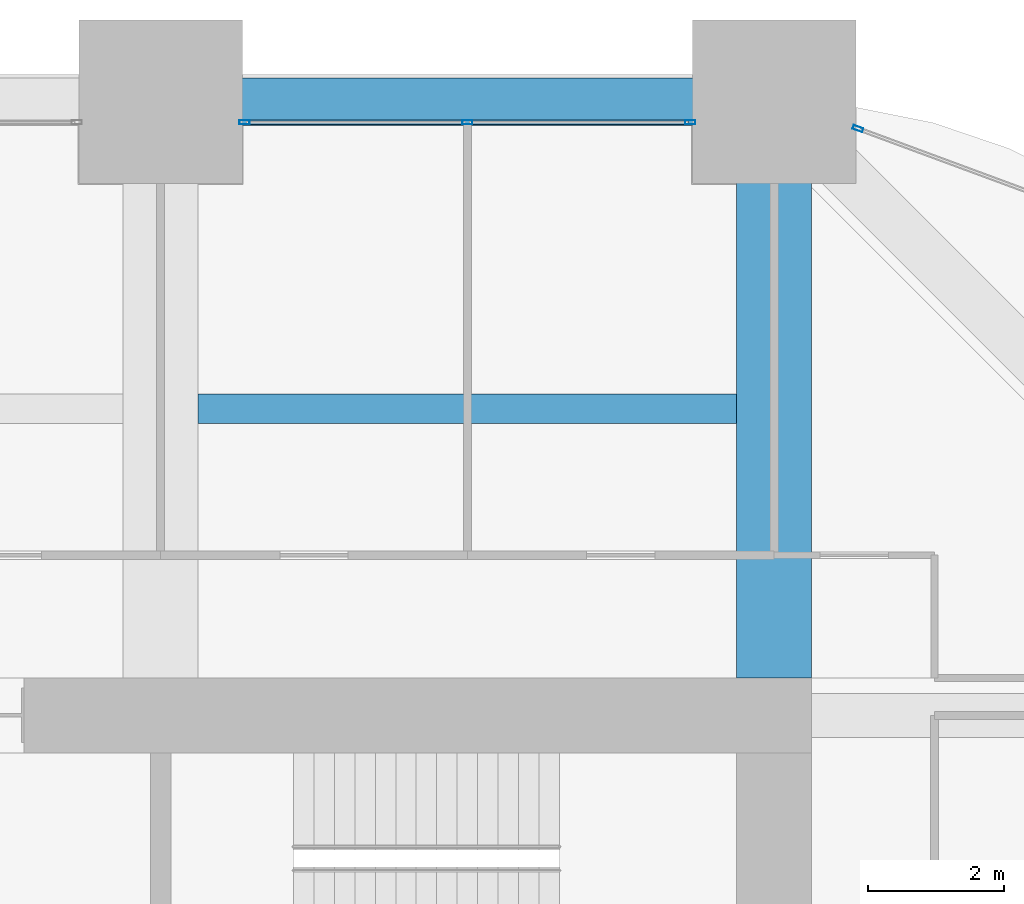
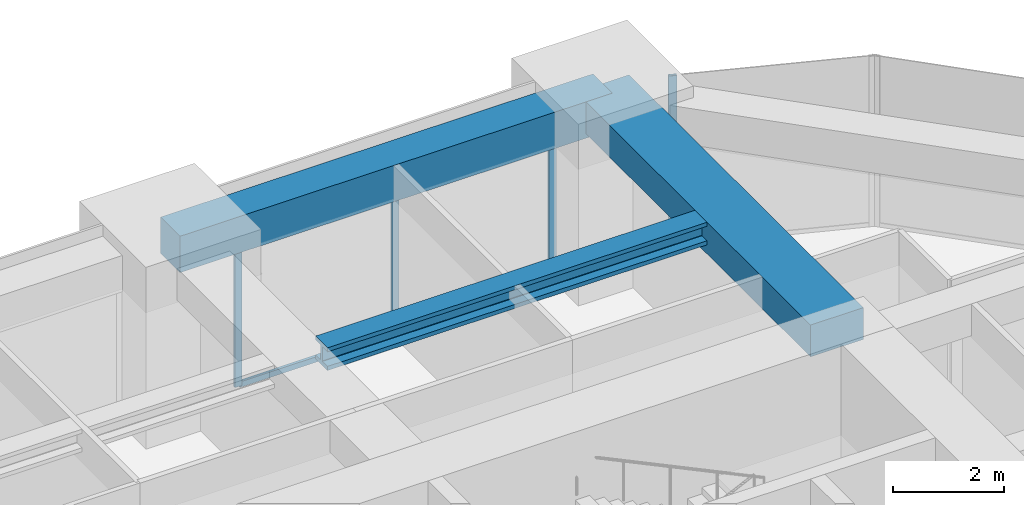
# One storey, part 26 of 32: 5 members, 3 beams, 2 elements without a shape of their own.
"""IFC4 building model written with IfcOpenShell, lengths in metres."""

from ifc_helpers import new_model, si_unit, direction, frame, origin, origin_2d, place, context, subcontext, project, spatial, rectangle, hollow_rectangle, i_section, extrude, material, material_profile, profile_set, type_object, element, aggregate, save


model = new_model("IFC4")

# Units and contexts
model_context = context("Model", 3, precision=1e-05, world=origin(), true_north=direction((0.0, 1.0)))
body_context = subcontext(model_context, "Body", "Model", "MODEL_VIEW")
ifc_project = project(units=[si_unit("LENGTHUNIT", "METRE"), si_unit("AREAUNIT", "SQUARE_METRE"), si_unit("VOLUMEUNIT", "CUBIC_METRE"), si_unit("PLANEANGLEUNIT", "RADIAN"), si_unit("MASSUNIT", "GRAM", prefix="KILO")], contexts=[model_context])

# Site, building, storey
site_placement = place(None, origin())
site = spatial("IfcSite", under=ifc_project, at=site_placement, CompositionType="ELEMENT")
building_placement = place(site_placement, origin())
building = spatial("IfcBuilding", under=site, at=building_placement, Name="Zorevar Civic Tower", CompositionType="ELEMENT")
storey_placement = place(building_placement, frame((0.0, 0.0, 198.199951171875)))
storey = spatial("IfcBuildingStorey", under=building, at=storey_placement, Name="L48", CompositionType="ELEMENT", Elevation=198.199951171875)

# Beam
ifc_material_1 = material(Name="Concrete C50/60", Category="concrete")
ifc_material_profile_1 = material_profile(ifc_material_1, rectangle(XDim=1.10009765625, YDim=0.699951171875, at=origin_2d()), Name="RC 1100x700")
ifc_profile_set_1 = profile_set([ifc_material_profile_1], Name="Concrete C50/60")
beam_type_1 = type_object("IfcBeamType", Name="Beam RC 1100x700", PredefinedType="BEAM", material=ifc_profile_set_1)
beam_1_placement = place(storey_placement, frame((45.0, 36.550048828125, 3.400146484375), z_axis=(0.0, 1.0, 0.0), x_axis=(-1.0, 0.0, 0.0)))
element("IfcBeam", 1, at=beam_1_placement, inside=storey, type_object=beam_type_1, Name="Girder L49", PredefinedType="BEAM", context=body_context, shape_type="SweptSolid", body=[
    extrude(rectangle(XDim=1.10009765625, YDim=0.699951171875, at=origin_2d()), origin(), (0.0, 0.0, 1.0), 8.449951171875),
])

# Curtain wall, members
ifc_material_2 = material(Name="Dark grey solar-control glass in black aluminium frame", Category="aluminium")
curtain_wall_type = type_object("IfcCurtainWallType", Name="Curtain wall CW4 high zone", PredefinedType="NOTDEFINED", material=ifc_material_2)
curtain_wall_1_placement = place(storey_placement, origin())
curtain_wall_1 = element("IfcCurtainWall", 2, at=curtain_wall_1_placement, inside=storey, type_object=curtain_wall_type, Name="CW4 L48", PredefinedType="NOTDEFINED")
ifc_material_3 = material(Name="Aluminium, black anodised", Category="aluminium")
ifc_material_profile_2 = material_profile(ifc_material_3, hollow_rectangle(XDim=0.06005859375, YDim=0.14990234375, WallThickness=0.00390625, at=origin_2d()), Name="AL 150x60x4")
ifc_profile_set_2 = profile_set([ifc_material_profile_2], Name="Aluminium, black anodised")
member_type_1 = type_object("IfcMemberType", Name="CW4 mullion AL 150x60x4", PredefinedType="MULLION", material=ifc_profile_set_2)
member_1_placement = place(storey_placement, frame((37.22998046875, 44.699951171875, 0.0), z_axis=(0.0, 0.0, 1.0), x_axis=(0.0, 1.0, 0.0)))
member_1 = element("IfcMember", 3, at=member_1_placement, type_object=member_type_1, Name="CW4 mullion 1", PredefinedType="MULLION", context=body_context, shape_type="SweptSolid", body=[
    extrude(hollow_rectangle(XDim=0.06005859375, YDim=0.14990234375, WallThickness=0.00390625, at=origin_2d()), origin(), (0.0, 0.0, 1.0), 2.949951171875),
])
member_2_placement = place(storey_placement, frame((40.5, 44.699951171875, 0.06005859375), z_axis=(0.0, 0.0, 1.0), x_axis=(0.0, 1.0, 0.0)))
member_2 = element("IfcMember", 4, at=member_2_placement, type_object=member_type_1, Name="CW4 mullion 2", PredefinedType="MULLION", context=body_context, shape_type="SweptSolid", body=[
    extrude(hollow_rectangle(XDim=0.06005859375, YDim=0.14990234375, WallThickness=0.00390625, at=origin_2d()), origin(), (0.0, 0.0, 1.0), 2.889892578125),
])
member_3_placement = place(storey_placement, frame((43.77001953125, 44.699951171875, 0.0), z_axis=(0.0, 0.0, 1.0), x_axis=(0.0, 1.0, 0.0)))
member_3 = element("IfcMember", 5, at=member_3_placement, type_object=member_type_1, Name="CW4 mullion 3", PredefinedType="MULLION", context=body_context, shape_type="SweptSolid", body=[
    extrude(hollow_rectangle(XDim=0.06005859375, YDim=0.14990234375, WallThickness=0.00390625, at=origin_2d()), origin(), (0.0, 0.0, 1.0), 2.949951171875),
])

# Curtain wall, member
curtain_wall_2_placement = place(storey_placement, origin())
curtain_wall_2 = element("IfcCurtainWall", 6, at=curtain_wall_2_placement, inside=storey, type_object=curtain_wall_type, Name="CW4 L48", PredefinedType="NOTDEFINED")
member_4_placement = place(storey_placement, frame((46.22802734375, 44.6064453125, 0.0), z_axis=(0.0, 0.0, 1.0), x_axis=(-0.346704012033, -0.937974588163, 0.0)))
member_4 = element("IfcMember", 7, at=member_4_placement, type_object=member_type_1, Name="CW4 mullion 2", PredefinedType="MULLION", context=body_context, shape_type="SweptSolid", body=[
    extrude(hollow_rectangle(XDim=0.06005859375, YDim=0.14990234375, WallThickness=0.00390625, at=origin_2d()), origin(), (0.0, 0.0, 1.0), 3.75),
])
aggregate(curtain_wall_2, [member_4])

# Member
ifc_material_4 = material(Name="Aluminium, black anodised", Category="aluminium")
ifc_material_profile_3 = material_profile(ifc_material_4, hollow_rectangle(XDim=0.06005859375, YDim=0.1201171875, WallThickness=0.0029296875, at=origin_2d()), Name="AL 120x60x3")
ifc_profile_set_3 = profile_set([ifc_material_profile_3], Name="Aluminium, black anodised")
member_type_2 = type_object("IfcMemberType", Name="CW4 transom AL 120x60x3", PredefinedType="USERDEFINED", material=ifc_profile_set_3)
member_5_placement = place(storey_placement, frame((37.260009765625, 44.699951171875, 0.030029296875), z_axis=(1.0, 0.0, 0.0), x_axis=(0.0, 1.0, 0.0)))
member_5 = element("IfcMember", 8, at=member_5_placement, type_object=member_type_2, Name="CW4 sill transom", ObjectType="TRANSOM", PredefinedType="USERDEFINED", context=body_context, shape_type="SweptSolid", body=[
    extrude(hollow_rectangle(XDim=0.06005859375, YDim=0.1201171875, WallThickness=0.0029296875, at=origin_2d()), origin(), (0.0, 0.0, 1.0), 6.47998046875),
])

aggregate(curtain_wall_1, [member_1, member_2, member_3, member_5])

# Beams
ifc_material_5 = material(Name="Steel S460M (HISTAR 460)", Category="steel")
ifc_material_profile_4 = material_profile(ifc_material_5, i_section(OverallWidth=0.431884765625, OverallDepth=0.498046875, WebThickness=0.0556640625, FlangeThickness=0.0888671875, FilletRadius=0.014892578125, at=origin_2d()), Name="HD 400x744")
ifc_profile_set_4 = profile_set([ifc_material_profile_4], Name="Steel S460M (HISTAR 460)")
beam_type_2 = type_object("IfcBeamType", Name="Core bay beam HD 400x744", PredefinedType="BEAM", material=ifc_profile_set_4)
beam_2_placement = place(storey_placement, frame((36.550048828125, 40.5, 3.5009765625), z_axis=(1.0, 0.0, 0.0), x_axis=(0.0, 1.0, 0.0)))
element("IfcBeam", 9, at=beam_2_placement, inside=storey, type_object=beam_type_2, Name="Secondary beam L49", PredefinedType="BEAM", context=body_context, shape_type="SweptSolid", body=[
    extrude(i_section(OverallWidth=0.431884765625, OverallDepth=0.498046875, WebThickness=0.0556640625, FlangeThickness=0.0888671875, FilletRadius=0.014892578125, at=origin_2d()), origin(), (0.0, 0.0, 1.0), 7.89990234375),
])
ifc_material_6 = material(Name="Concrete C50/60", Category="concrete")
ifc_material_profile_5 = material_profile(ifc_material_6, rectangle(XDim=0.699951171875, YDim=0.800048828125, at=origin_2d()), Name="RC 700x800")
ifc_profile_set_5 = profile_set([ifc_material_profile_5], Name="Concrete C50/60")
beam_type_3 = type_object("IfcBeamType", Name="Edge beam RC 700x800", PredefinedType="SPANDREL", material=ifc_profile_set_5)
beam_3_placement = place(storey_placement, frame((36.0, 45.0, 3.35009765625), z_axis=(1.0, 0.0, 0.0), x_axis=(0.0, 1.0, 0.0)))
element("IfcBeam", 10, at=beam_3_placement, inside=storey, type_object=beam_type_3, Name="Edge beam L49", PredefinedType="SPANDREL", context=body_context, shape_type="SweptSolid", body=[
    extrude(rectangle(XDim=0.699951171875, YDim=0.800048828125, at=origin_2d()), origin(), (0.0, 0.0, 1.0), 9.0),
])

save(model, "model.ifc")
